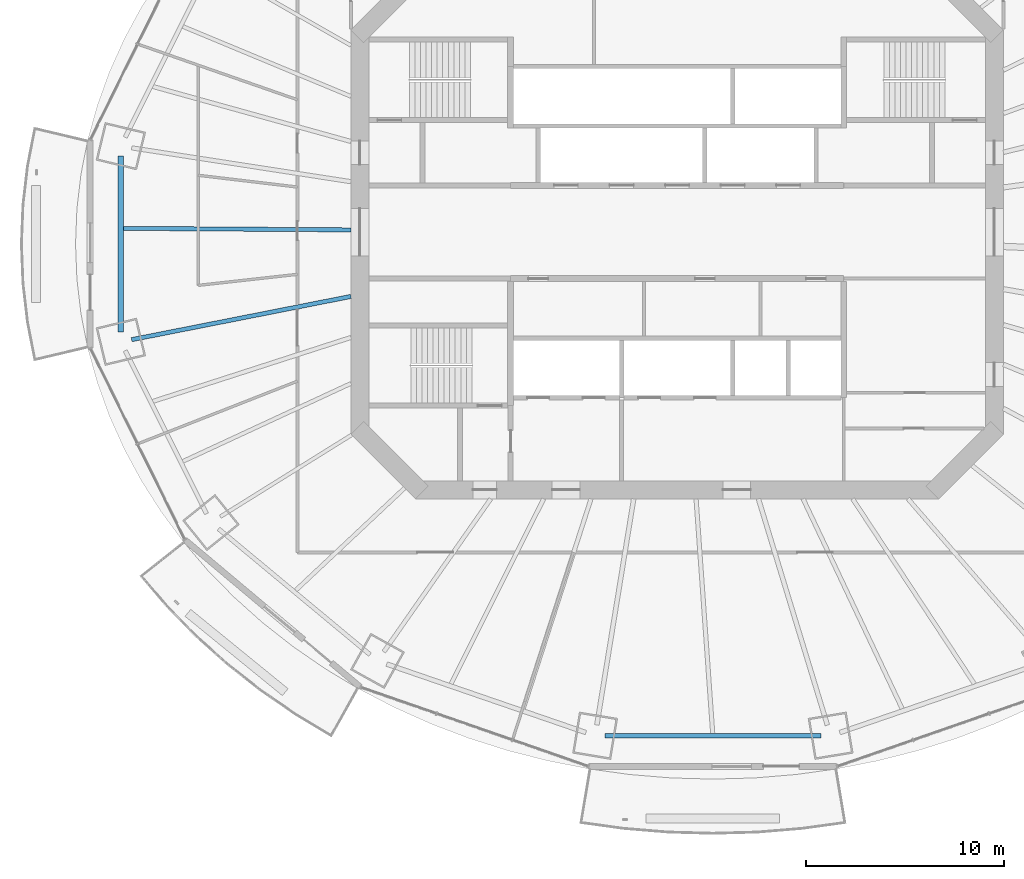
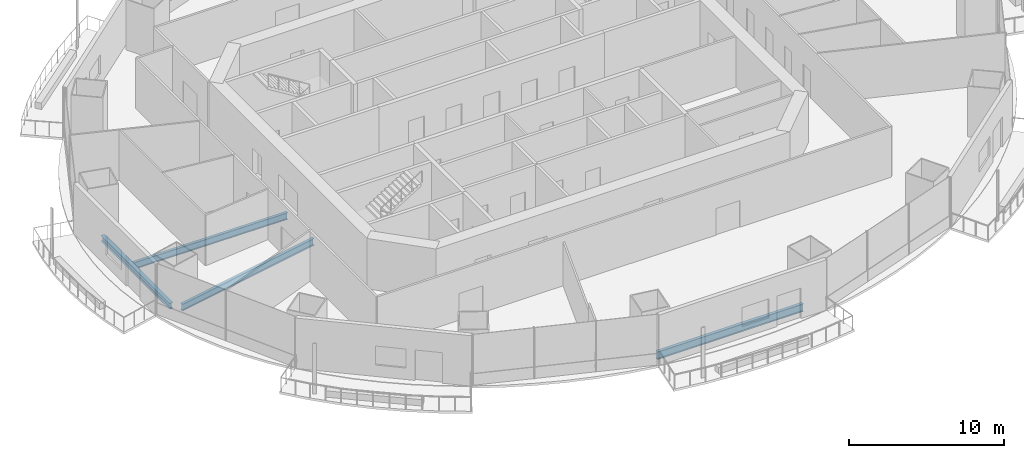
# One storey, part 3 of 20: 4 beams.
"""IFC4 building model written with IfcOpenShell, lengths in metres."""

from ifc_helpers import new_model, si_unit, direction, frame, origin, origin_2d, place, context, subcontext, project, spatial, i_section, extrude, material, material_profile, profile_set, type_object, element, save


model = new_model("IFC4")

# Units and contexts
model_context = context("Model", 3, precision=1e-05, world=origin(), true_north=direction((0.0, 1.0)))
body_context = subcontext(model_context, "Body", "Model", "MODEL_VIEW")
ifc_project = project(units=[si_unit("LENGTHUNIT", "METRE"), si_unit("AREAUNIT", "SQUARE_METRE"), si_unit("VOLUMEUNIT", "CUBIC_METRE"), si_unit("PLANEANGLEUNIT", "RADIAN"), si_unit("MASSUNIT", "GRAM", prefix="KILO")], contexts=[model_context])

# Site, building, storey
site_placement = place(None, origin())
site = spatial("IfcSite", under=ifc_project, at=site_placement, CompositionType="ELEMENT")
building_placement = place(site_placement, origin())
building = spatial("IfcBuilding", under=site, at=building_placement, Name="Marenthal Gate Tower", CompositionType="ELEMENT")
storey_placement = place(building_placement, frame((0.0, 0.0, 194.25)))
storey = spatial("IfcBuildingStorey", under=building, at=storey_placement, Name="L42", CompositionType="ELEMENT", Elevation=194.25)

# Beams
ifc_material_1 = material(Name="Steel S355", Category="steel")
ifc_material_profile_1 = material_profile(ifc_material_1, i_section(OverallWidth=0.279052734375, OverallDepth=0.4619140625, WebThickness=0.0107421875, FlangeThickness=0.017333984375, FilletRadius=0.010009765625, at=origin_2d()), Name="W460X113")
ifc_profile_set_1 = profile_set([ifc_material_profile_1], Name="Steel S355")
beam_type_1 = type_object("IfcBeamType", Name="W460X113 beam", PredefinedType="BEAM", material=ifc_profile_set_1)
beam_1_placement = place(storey_placement, frame((-28.05029296875, 3.82958984375, -0.410888671875), z_axis=(0.0, -1.0, 0.0), x_axis=(1.0, 0.0, 0.0)))
element("IfcBeam", 1, at=beam_1_placement, inside=storey, type_object=beam_type_1, Name="BM-L42-48", PredefinedType="BEAM", context=body_context, shape_type="SweptSolid", body=[
    extrude(i_section(OverallWidth=0.279052734375, OverallDepth=0.4619140625, WebThickness=0.0107421875, FlangeThickness=0.017333984375, FilletRadius=0.010009765625, at=origin_2d()), origin(), (0.0, 0.0, 1.0), 8.859130859375),
])
ifc_material_2 = material(Name="Steel S355", Category="steel")
ifc_material_profile_2 = material_profile(ifc_material_2, i_section(OverallWidth=0.2099609375, OverallDepth=0.535888671875, WebThickness=0.010986328125, FlangeThickness=0.017333984375, FilletRadius=0.0126953125, at=origin_2d()), Name="W530X101")
ifc_profile_set_2 = profile_set([ifc_material_profile_2], Name="Steel S355")
beam_type_2 = type_object("IfcBeamType", Name="W530X101 beam", PredefinedType="BEAM", material=ifc_profile_set_2)
beam_2_placement = place(storey_placement, frame((-27.91064453125, 0.188232421875, -0.447998046875), z_axis=(0.99997720015, -0.006752716538, 0.0), x_axis=(0.006752716538, 0.99997720015, 0.0)))
element("IfcBeam", 2, at=beam_2_placement, inside=storey, type_object=beam_type_2, Name="BM-L42-28", PredefinedType="BEAM", context=body_context, shape_type="SweptSolid", body=[
    extrude(i_section(OverallWidth=0.2099609375, OverallDepth=0.535888671875, WebThickness=0.010986328125, FlangeThickness=0.017333984375, FilletRadius=0.0126953125, at=origin_2d()), origin(), (0.0, 0.0, 1.0), 11.4609375),
])
ifc_material_3 = material(Name="Steel S355", Category="steel")
ifc_material_profile_3 = material_profile(ifc_material_3, i_section(OverallWidth=0.2119140625, OverallDepth=0.5439453125, WebThickness=0.01318359375, FlangeThickness=0.021240234375, FilletRadius=0.0126953125, at=origin_2d()), Name="W530X123")
ifc_profile_set_3 = profile_set([ifc_material_profile_3], Name="Steel S355")
beam_type_3 = type_object("IfcBeamType", Name="W530X123 beam", PredefinedType="BEAM", material=ifc_profile_set_3)
beam_3_placement = place(storey_placement, frame((-27.509765625, -5.425537109375, -0.451904296875), z_axis=(0.981102762899, 0.193487386233, 0.0), x_axis=(-0.193487386233, 0.981102762899, 0.0)))
element("IfcBeam", 3, at=beam_3_placement, inside=storey, type_object=beam_type_3, Name="BM-L42-09", PredefinedType="BEAM", context=body_context, shape_type="SweptSolid", body=[
    extrude(i_section(OverallWidth=0.2119140625, OverallDepth=0.5439453125, WebThickness=0.01318359375, FlangeThickness=0.021240234375, FilletRadius=0.0126953125, at=origin_2d()), origin(), (0.0, 0.0, 1.0), 11.27294921875),
])
ifc_material_4 = material(Name="Steel S355", Category="steel")
ifc_material_profile_4 = material_profile(ifc_material_4, i_section(OverallWidth=0.22900390625, OverallDepth=0.612060546875, WebThickness=0.011962890625, FlangeThickness=0.01953125, FilletRadius=0.0126953125, at=origin_2d()), Name="W610X125")
ifc_profile_set_4 = profile_set([ifc_material_profile_4], Name="Steel S355")
beam_type_4 = type_object("IfcBeamType", Name="W610X125 beam", PredefinedType="BEAM", material=ifc_profile_set_4)
beam_4_placement = place(storey_placement, frame((-3.6494140625, -25.395263671875, -0.486083984375), z_axis=(1.0, 0.0, 0.0), x_axis=(0.0, 1.0, 0.0)))
element("IfcBeam", 4, at=beam_4_placement, inside=storey, type_object=beam_type_4, Name="BM-L42-52", PredefinedType="BEAM", context=body_context, shape_type="SweptSolid", body=[
    extrude(i_section(OverallWidth=0.22900390625, OverallDepth=0.612060546875, WebThickness=0.011962890625, FlangeThickness=0.01953125, FilletRadius=0.0126953125, at=origin_2d()), origin(), (0.0, 0.0, 1.0), 10.89892578125),
])

save(model, "model.ifc")
